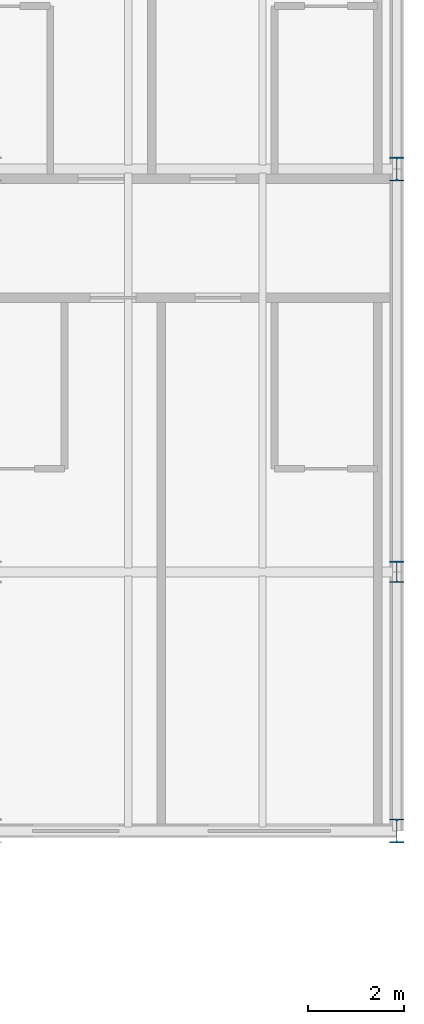
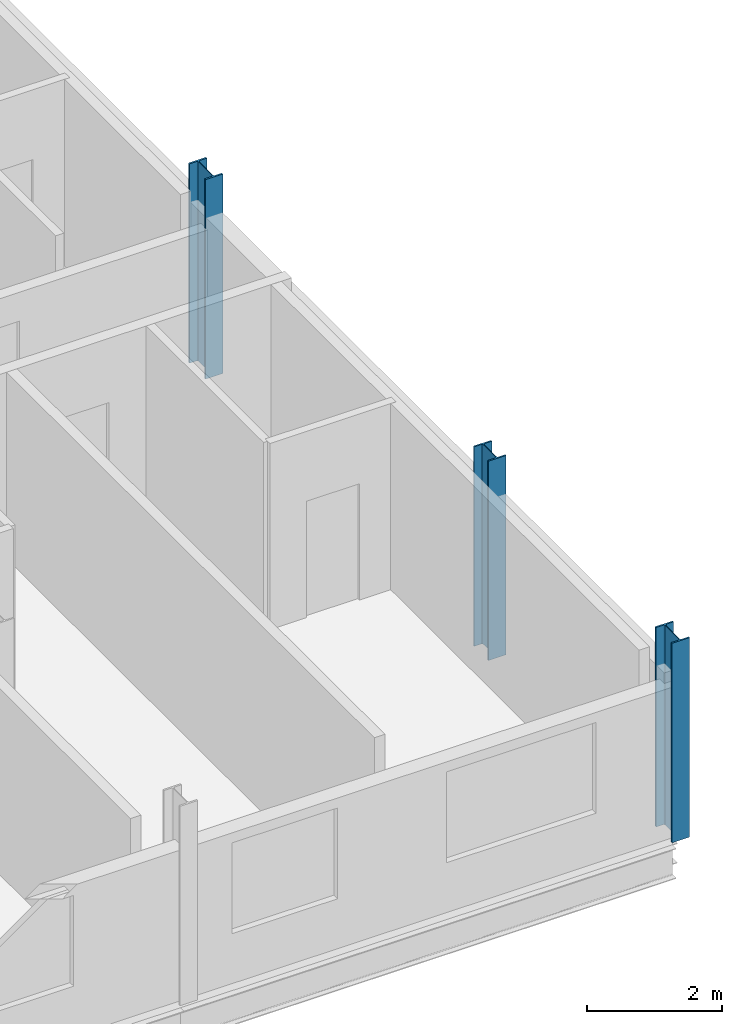
# One storey, part 4 of 34: 3 columns.
"""IFC4 building model written with IfcOpenShell, lengths in metres."""

from ifc_helpers import new_model, si_unit, direction, frame, origin, origin_2d, place, context, subcontext, project, spatial, i_section, extrude, material, material_profile, profile_set, type_object, element, save


model = new_model("IFC4")

# Units and contexts
model_context = context("Model", 3, precision=1e-05, world=origin(), true_north=direction((0.0, 1.0)))
body_context = subcontext(model_context, "Body", "Model", "MODEL_VIEW")
ifc_project = project(units=[si_unit("LENGTHUNIT", "METRE"), si_unit("AREAUNIT", "SQUARE_METRE"), si_unit("VOLUMEUNIT", "CUBIC_METRE"), si_unit("PLANEANGLEUNIT", "RADIAN"), si_unit("MASSUNIT", "GRAM", prefix="KILO")], contexts=[model_context])

# Site, building, storey
site_placement = place(None, origin())
site = spatial("IfcSite", under=ifc_project, at=site_placement, CompositionType="ELEMENT")
building_placement = place(site_placement, origin())
building = spatial("IfcBuilding", under=site, at=building_placement, Name="Sefraquen Railside Congress Hotel", CompositionType="ELEMENT")
storey_placement = place(building_placement, frame((0.0, 0.0, 31.800048828125)))
storey = spatial("IfcBuildingStorey", under=building, at=storey_placement, Name="L07", CompositionType="ELEMENT", Elevation=31.800048828125)

# Columns
ifc_material = material(Name="Steel S355JR", Category="steel")
ifc_material_profile_1 = material_profile(ifc_material, i_section(OverallWidth=0.300048828125, OverallDepth=0.449951171875, WebThickness=0.013916015625, FlangeThickness=0.02587890625, FilletRadius=0.027099609375, at=origin_2d()), Name="HEB 450")
ifc_profile_set_1 = profile_set([ifc_material_profile_1], Name="Steel S355JR")
column_type_1 = type_object("IfcColumnType", Name="TC-HEB-450", PredefinedType="COLUMN", material=ifc_profile_set_1)
column_placement = place(storey_placement, frame((120.0, 101.39990234375, 0.0), z_axis=(0.0, 0.0, 1.0), x_axis=(1.0, 0.0, 0.0)))
element("IfcColumn", 1, at=column_placement, inside=storey, type_object=column_type_1, Name="Structural column 16-N L07", PredefinedType="COLUMN", context=body_context, shape_type="SweptSolid", body=[
    extrude(i_section(OverallWidth=0.300048828125, OverallDepth=0.449951171875, WebThickness=0.013916015625, FlangeThickness=0.02587890625, FilletRadius=0.027099609375, at=origin_2d()), origin(), (0.0, 0.0, 1.0), 3.599853515625),
])
ifc_material_profile_2 = material_profile(ifc_material, i_section(OverallWidth=0.300048828125, OverallDepth=0.5, WebThickness=0.014404296875, FlangeThickness=0.028076171875, FilletRadius=0.027099609375, at=origin_2d()), Name="HEB 500")
ifc_profile_set_2 = profile_set([ifc_material_profile_2], Name="Steel S355JR")
column_type_2 = type_object("IfcColumnType", Name="TC-HEB-500", PredefinedType="COLUMN", material=ifc_profile_set_2)
for number, where, z_axis, x_axis, name in (
    (2, (120.0, 96.0, 0.0), (0.0, 0.0, 1.0), (1.0, 0.0, 0.0), "Structural column 16-M L07"),
    (3, (120.0, 109.800048828125, 0.0), (0.0, 0.0, 1.0), (1.0, 0.0, 0.0), "Structural column 16-P L07"),
):
    element("IfcColumn", number, at=place(storey_placement, frame(where, z_axis=z_axis, x_axis=x_axis)), inside=storey, type_object=column_type_2, Name=name, PredefinedType="COLUMN", context=body_context, shape_type="SweptSolid", body=[
        extrude(i_section(OverallWidth=0.300048828125, OverallDepth=0.5, WebThickness=0.014404296875, FlangeThickness=0.028076171875, FilletRadius=0.027099609375, at=origin_2d()), origin(), (0.0, 0.0, 1.0), 3.599853515625),
    ])

save(model, "model.ifc")
